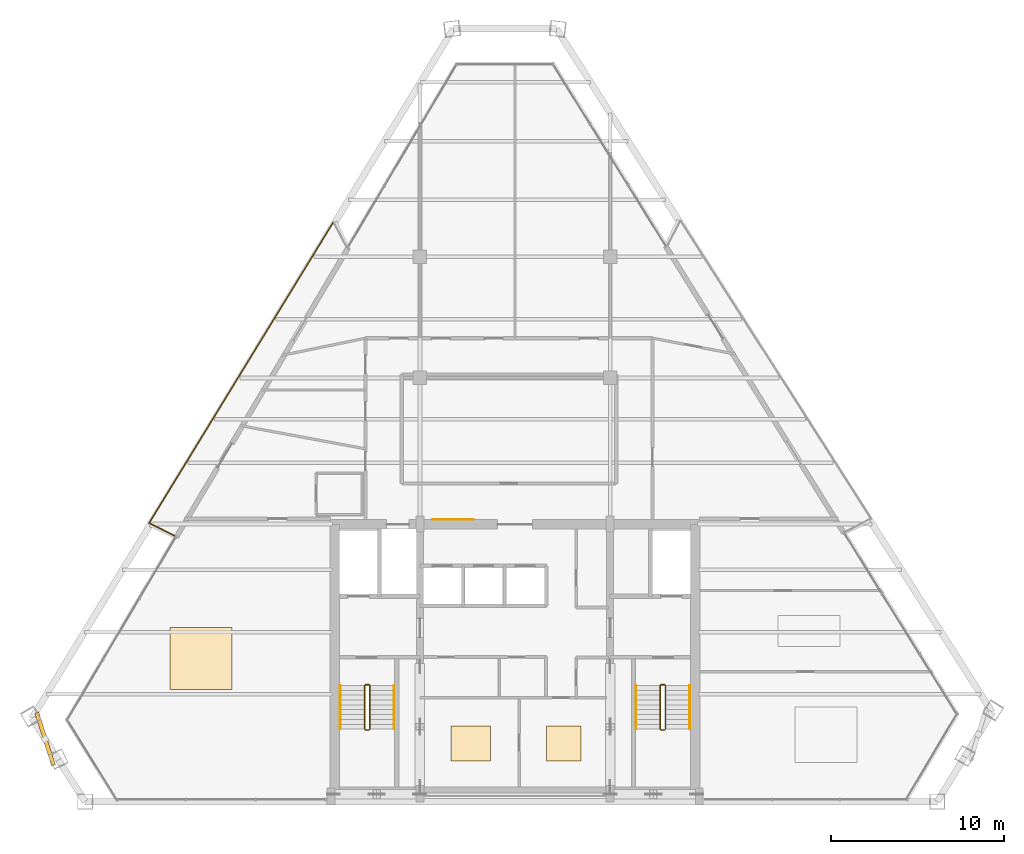
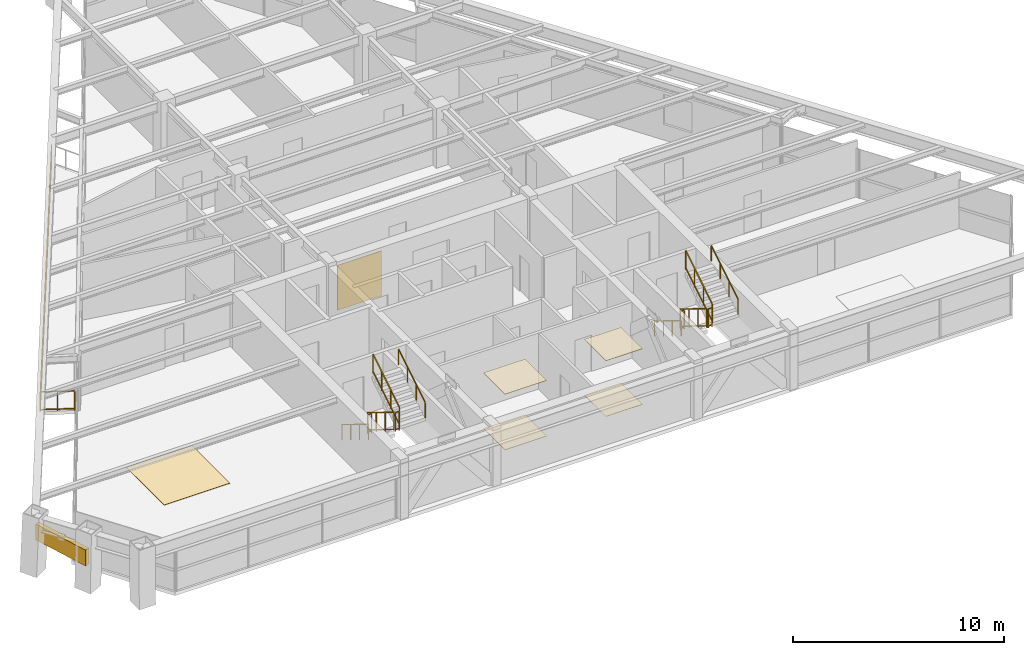
# One storey, part 11 of 12: 14 railings, 6 coverings, 1 shading device.
"""IFC4 building model written with IfcOpenShell, lengths in metres."""

import ifcopenshell
import ifcopenshell.guid

model = None  # the IFC model being written
_history = None  # IfcOwnerHistory: only IFC2X3 demands one
_inside = {}  # id of a spatial element -> (the spatial element, [elements in it])
_under = {}  # id of a project, library or spatial element -> (it, [spatial elements below it])
_declared = {}  # id of a project -> (the project, [libraries it declares])
_typed = {}  # id of a type object -> (the type object, [elements of that type])
_made_of = {}  # id of a material, layer set ... -> (it, [elements and type objects made of it])


def new_model(schema):
    """Start an empty IFC model of exactly this schema.

    Asked for "IFC4X3", IfcOpenShell would pick the latest addendum, in which some entities
    have other attributes; the version numbers below select the first issue.
    IFC2X3 requires an IfcOwnerHistory on every rooted entity: one is made here for all.
    """
    global model, _history
    if schema == "IFC4X3":
        model = ifcopenshell.file(schema_version=(4, 3, 0, 0))
    else:
        model = ifcopenshell.file(schema=schema)
    _inside.clear()
    _under.clear()
    _declared.clear()
    _typed.clear()
    _made_of.clear()
    _history = None
    if model.schema == "IFC2X3":
        org = make("IfcOrganization", Name="unknown")
        user = make(
            "IfcPersonAndOrganization",
            ThePerson=make("IfcPerson", FamilyName="unknown"),
            TheOrganization=org,
        )
        app = make(
            "IfcApplication",
            ApplicationDeveloper=org,
            Version="unknown",
            ApplicationFullName="unknown",
            ApplicationIdentifier="unknown",
        )
        _history = make(
            "IfcOwnerHistory",
            OwningUser=user,
            OwningApplication=app,
            ChangeAction="ADDED",
            CreationDate=0,
        )
    return model


def make(cls, **values):
    """One entity of the class cls with the attributes given. An attribute that is None is left unset."""
    return model.create_entity(
        cls, **{name: value for name, value in values.items() if value is not None}
    )


def rooted(cls, **values):
    """An entity with a GlobalId (a new one), such as an element, a storey or a relation."""
    return make(cls, GlobalId=ifcopenshell.guid.new(), OwnerHistory=_history, **values)


def si_unit(unit_type, name, prefix=None):
    """IfcSIUnit, for example si_unit("LENGTHUNIT", "METRE", prefix="MILLI")."""
    return make("IfcSIUnit", UnitType=unit_type, Prefix=prefix, Name=name)


def assignment(units):
    """IfcUnitAssignment: the units of a project."""
    return None if units is None else make("IfcUnitAssignment", Units=units)


def point(xyz):
    """IfcCartesianPoint."""
    return None if xyz is None else make("IfcCartesianPoint", Coordinates=xyz)


def direction(xyz):
    """IfcDirection."""
    return None if xyz is None else make("IfcDirection", DirectionRatios=xyz)


def frame(location, z_axis=None, x_axis=None):
    """IfcAxis2Placement3D, a coordinate frame: its origin and axes. An axis left out is left unset."""
    return make(
        "IfcAxis2Placement3D",
        Location=point(location),
        Axis=direction(z_axis),
        RefDirection=direction(x_axis),
    )


def frame_2d(location, x_axis=None):
    """IfcAxis2Placement2D, a coordinate frame in the plane: its origin and x axis."""
    return make(
        "IfcAxis2Placement2D", Location=point(location), RefDirection=direction(x_axis)
    )


def origin():
    """The frame at (0, 0, 0) with its axes left unset."""
    return frame((0.0, 0.0, 0.0))


def origin_2d():
    """The frame at (0, 0) in the plane with its x axis left unset."""
    return frame_2d((0.0, 0.0))


def place(relative_to, where):
    """IfcLocalPlacement: puts the frame where relative to a parent placement (None: the world)."""
    return make(
        "IfcLocalPlacement", PlacementRelTo=relative_to, RelativePlacement=where
    )


def context(
    kind, dimensions, precision=None, world=None, true_north=None, identifier=None
):
    """IfcGeometricRepresentationContext, for example the 3D "Model" context."""
    return make(
        "IfcGeometricRepresentationContext",
        ContextIdentifier=identifier,
        ContextType=kind,
        CoordinateSpaceDimension=dimensions,
        Precision=precision,
        WorldCoordinateSystem=world,
        TrueNorth=true_north,
    )


def subcontext(parent, identifier, kind, view, scale=None):
    """IfcGeometricRepresentationSubContext, for example "Body" below "Model"."""
    return make(
        "IfcGeometricRepresentationSubContext",
        ContextIdentifier=identifier,
        ContextType=kind,
        ParentContext=parent,
        TargetScale=scale,
        TargetView=view,
    )


def project(units=None, contexts=None):
    """IfcProject with its units and contexts."""
    return rooted(
        "IfcProject",
        Name="project",
        RepresentationContexts=contexts,
        UnitsInContext=assignment(units),
    )


def spatial(cls, under=None, at=None, **own):
    """A site, building, storey or space (cls), placed at a placement, below another one or the project."""
    s = rooted(cls, ObjectPlacement=at, **own)
    if under is not None:
        _under.setdefault(under.id(), (under, []))[1].append(s)
    return s


def profile(cls, at=None, kind="AREA", **sizes):
    """A parametric profile (cls). Its sizes go by their IFC names, for example OverallWidth=200.0."""
    return make(cls, ProfileType=kind, Position=at, **sizes)


def rectangle(**sizes):
    """IfcRectangleProfileDef."""
    return profile("IfcRectangleProfileDef", **sizes)


def extrude(swept, where, along, depth):
    """IfcExtrudedAreaSolid: the profile swept, set in the frame where, extruded along a direction by depth."""
    return make(
        "IfcExtrudedAreaSolid",
        SweptArea=swept,
        Position=where,
        ExtrudedDirection=direction(along),
        Depth=depth,
    )


def shape(context_of_items, identifier, shape_type, items):
    """IfcShapeRepresentation: the items that make up one representation, for example the "Body"."""
    return make(
        "IfcShapeRepresentation",
        ContextOfItems=context_of_items,
        RepresentationIdentifier=identifier,
        RepresentationType=shape_type,
        Items=items,
    )


def source(mapping_origin, context_of_items, identifier, shape_type, items):
    """IfcRepresentationMap: a shape defined once, which mapped items show again and again."""
    return make(
        "IfcRepresentationMap",
        MappingOrigin=mapping_origin,
        MappedRepresentation=shape(context_of_items, identifier, shape_type, items),
    )


def transform(
    local_origin,
    x_axis=None,
    y_axis=None,
    z_axis=None,
    scale=None,
    scale2=None,
    scale3=None,
    uniform=True,
):
    """IfcCartesianTransformationOperator3D, or its non-uniform kind. x_axis, y_axis, z_axis: its Axis1, 2, 3."""
    if uniform:
        return make(
            "IfcCartesianTransformationOperator3D",
            Axis1=direction(x_axis),
            Axis2=direction(y_axis),
            LocalOrigin=point(local_origin),
            Scale=scale,
            Axis3=direction(z_axis),
        )
    return make(
        "IfcCartesianTransformationOperator3DnonUniform",
        Axis1=direction(x_axis),
        Axis2=direction(y_axis),
        LocalOrigin=point(local_origin),
        Scale=scale,
        Axis3=direction(z_axis),
        Scale2=scale2,
        Scale3=scale3,
    )


def mapped(mapping_source, mapping_target):
    """IfcMappedItem: shows the shape of a source again, moved by a transform."""
    return make(
        "IfcMappedItem", MappingSource=mapping_source, MappingTarget=mapping_target
    )


def material(Name=None, Category=None):
    """IfcMaterial."""
    return make("IfcMaterial", Name=Name, Category=Category)


def layer(
    of_material, thickness, ventilated=None, Name=None, Category=None, Priority=None
):
    """IfcMaterialLayer: one layer of a wall or slab, of a material (None: an air gap)."""
    return make(
        "IfcMaterialLayer",
        Material=of_material,
        LayerThickness=thickness,
        IsVentilated=ventilated,
        Name=Name,
        Category=Category,
        Priority=Priority,
    )


def layer_set(layers, Name=None):
    """IfcMaterialLayerSet."""
    return make("IfcMaterialLayerSet", MaterialLayers=layers, LayerSetName=Name)


def made_of(thing, what):
    """Note that an element or type object is made of a material, layer set ...; save() writes the relation."""
    if what is not None:
        _made_of.setdefault(what.id(), (what, []))[1].append(thing)
    return thing


def type_object(cls, material=None, **own):
    """A type object (cls), such as IfcWallType, which elements share."""
    return made_of(rooted(cls, **own), material)


def type_shapes(of_type, sources):
    """Give a type object the sources (RepresentationMaps) that its elements show as mapped items."""
    of_type.RepresentationMaps = sources


def element(
    cls,
    number,
    at=None,
    inside=None,
    cuts=None,
    type_object=None,
    material=None,
    context=None,
    identifier="Body",
    shape_type=None,
    held_by="IfcProductDefinitionShape",
    body=None,
    shapes=None,
    **own,
):
    """One element of the class cls, such as IfcWall. Its Tag is "e" and its number.

    at: its placement. inside: the storey or other place that contains it. cuts: it is an
    opening in that element (IfcRelVoidsElement). A single representation is given by context,
    identifier, shape_type and body (its items); several are given by shapes. held_by: the class
    of the entity that holds the representations. save() writes the other relations.
    """
    e = rooted(cls, Tag="e%d" % number, ObjectPlacement=at, **own)
    if body is not None:
        shapes = [shape(context, identifier, shape_type, body)]
    if shapes is not None:
        e.Representation = make(held_by, Representations=shapes)
    if inside is not None:
        _inside.setdefault(inside.id(), (inside, []))[1].append(e)
    if cuts is not None:
        rooted(
            "IfcRelVoidsElement", RelatingBuildingElement=cuts, RelatedOpeningElement=e
        )
    if type_object is not None:
        _typed.setdefault(type_object.id(), (type_object, []))[1].append(e)
    return made_of(e, material)


def aggregate(whole, parts):
    """IfcRelAggregates: a whole, such as a stair, and the parts it consists of."""
    return rooted("IfcRelAggregates", RelatingObject=whole, RelatedObjects=parts)


def save(model, path):
    """Write the relations noted so far, then the file.

    IfcRelAggregates (storeys below a building ...), IfcRelContainedInSpatialStructure (elements
    in a storey), IfcRelDefinesByType, IfcRelAssociatesMaterial and IfcRelDeclares: one each for
    every whole, place, type object, material and project.
    """
    for whole, parts in _under.values():
        aggregate(whole, parts)
    for where, things in _inside.values():
        rooted(
            "IfcRelContainedInSpatialStructure",
            RelatedElements=things,
            RelatingStructure=where,
        )
    for kind, things in _typed.values():
        rooted("IfcRelDefinesByType", RelatedObjects=things, RelatingType=kind)
    for what, things in _made_of.values():
        rooted("IfcRelAssociatesMaterial", RelatedObjects=things, RelatingMaterial=what)
    for by, libraries in _declared.values():
        rooted("IfcRelDeclares", RelatingContext=by, RelatedDefinitions=libraries)
    model.write(path)


model = new_model("IFC4")

# Units and contexts
model_context = context("Model", 3, precision=1e-05, world=origin(), true_north=direction((0.0, 1.0)))
body_context = subcontext(model_context, "Body", "Model", "MODEL_VIEW")
ifc_project = project(units=[si_unit("LENGTHUNIT", "METRE"), si_unit("AREAUNIT", "SQUARE_METRE"), si_unit("VOLUMEUNIT", "CUBIC_METRE"), si_unit("PLANEANGLEUNIT", "RADIAN"), si_unit("MASSUNIT", "GRAM", prefix="KILO")], contexts=[model_context])

# Site, building, storey
site_placement = place(None, origin())
site = spatial("IfcSite", under=ifc_project, at=site_placement, CompositionType="ELEMENT")
building_placement = place(site_placement, origin())
building = spatial("IfcBuilding", under=site, at=building_placement, Name="Varnakhor Terracotta Tower", CompositionType="ELEMENT")
storey_placement = place(building_placement, frame((0.0, 0.0, 230.35009765625)))
storey = spatial("IfcBuildingStorey", under=building, at=storey_placement, Name="L59", CompositionType="ELEMENT", Elevation=230.35009765625)

# Railings
ifc_material_1 = material(Name="Stainless Steel & Laminated Glass Guardrail", Category="steel")
railing_type_1 = type_object("IfcRailingType", Name="RLG-LOGGIA-GUARD-1150", PredefinedType="GUARDRAIL", material=ifc_material_1)
railing_1_placement = place(storey_placement, frame((-19.70654296875, 15.371826171875, 0.0)))
element("IfcRailing", 1, at=railing_1_placement, inside=storey, type_object=railing_type_1, Name="L59 W Loggia Glass Guard 1", PredefinedType="GUARDRAIL", context=body_context, shape_type="SweptSolid", body=[
    extrude(rectangle(XDim=0.048095703125, YDim=0.048095703125, at=origin_2d()), frame((0.0, 0.0, 1.1259765625), z_axis=(-0.889711540351, 0.456523137383, 0.0), x_axis=(-0.456523137383, -0.889711540351, 0.0)), (0.0, 0.0, 1.0), 1.632080078125),
    extrude(rectangle(XDim=0.048095703125, YDim=0.048095703125, at=origin_2d()), frame((0.0, 0.0, 0.10009765625), z_axis=(-0.889711540351, 0.456523137383, 0.0), x_axis=(-0.456523137383, -0.889711540351, 0.0)), (0.0, 0.0, 1.0), 1.632080078125),
    extrude(rectangle(XDim=0.0419921875, YDim=0.0419921875, at=origin_2d()), origin(), (0.0, 0.0, 1.0), 1.101806640625),
    extrude(rectangle(XDim=0.0419921875, YDim=0.0419921875, at=origin_2d()), frame((-0.72607421875, 0.37255859375, 0.0)), (0.0, 0.0, 1.0), 1.101806640625),
    extrude(rectangle(XDim=0.0419921875, YDim=0.0419921875, at=origin_2d()), frame((-1.4521484375, 0.7451171875, 0.0)), (0.0, 0.0, 1.0), 1.101806640625),
])
railing_2_placement = place(storey_placement, frame((-21.15869140625, 16.116943359375, 0.0)))
element("IfcRailing", 2, at=railing_2_placement, inside=storey, type_object=railing_type_1, Name="L59 W Loggia Glass Guard 2", PredefinedType="GUARDRAIL", context=body_context, shape_type="SweptSolid", body=[
    extrude(rectangle(XDim=0.048095703125, YDim=0.048095703125, at=origin_2d()), frame((0.0, 0.0, 1.1259765625), z_axis=(0.522481492046, 0.852650626265, 0.0), x_axis=(-0.852650626265, 0.522481492046, 0.0)), (0.0, 0.0, 1.0), 20.39453125),
    extrude(rectangle(XDim=0.048095703125, YDim=0.048095703125, at=origin_2d()), frame((0.0, 0.0, 0.10009765625), z_axis=(0.522481492046, 0.852650626265, 0.0), x_axis=(-0.852650626265, 0.522481492046, 0.0)), (0.0, 0.0, 1.0), 20.39453125),
    extrude(rectangle(XDim=0.0419921875, YDim=0.0419921875, at=origin_2d()), origin(), (0.0, 0.0, 1.0), 1.101806640625),
    extrude(rectangle(XDim=0.0419921875, YDim=0.0419921875, at=origin_2d()), frame((0.71044921875, 1.1591796875, 0.0)), (0.0, 0.0, 1.0), 1.101806640625),
    extrude(rectangle(XDim=0.0419921875, YDim=0.0419921875, at=origin_2d()), frame((1.420654296875, 2.318603515625, 0.0)), (0.0, 0.0, 1.0), 1.101806640625),
    extrude(rectangle(XDim=0.0419921875, YDim=0.0419921875, at=origin_2d()), frame((2.131103515625, 3.477783203125, 0.0)), (0.0, 0.0, 1.0), 1.101806640625),
    extrude(rectangle(XDim=0.0419921875, YDim=0.0419921875, at=origin_2d()), frame((2.841552734375, 4.63720703125, 0.0)), (0.0, 0.0, 1.0), 1.101806640625),
    extrude(rectangle(XDim=0.0419921875, YDim=0.0419921875, at=origin_2d()), frame((3.552001953125, 5.79638671875, 0.0)), (0.0, 0.0, 1.0), 1.101806640625),
    extrude(rectangle(XDim=0.0419921875, YDim=0.0419921875, at=origin_2d()), frame((4.26220703125, 6.955810546875, 0.0)), (0.0, 0.0, 1.0), 1.101806640625),
    extrude(rectangle(XDim=0.0419921875, YDim=0.0419921875, at=origin_2d()), frame((4.97265625, 8.114990234375, 0.0)), (0.0, 0.0, 1.0), 1.101806640625),
    extrude(rectangle(XDim=0.0419921875, YDim=0.0419921875, at=origin_2d()), frame((5.68310546875, 9.2744140625, 0.0)), (0.0, 0.0, 1.0), 1.101806640625),
    extrude(rectangle(XDim=0.0419921875, YDim=0.0419921875, at=origin_2d()), frame((6.3935546875, 10.43359375, 0.0)), (0.0, 0.0, 1.0), 1.101806640625),
    extrude(rectangle(XDim=0.0419921875, YDim=0.0419921875, at=origin_2d()), frame((7.103759765625, 11.593017578125, 0.0)), (0.0, 0.0, 1.0), 1.101806640625),
    extrude(rectangle(XDim=0.0419921875, YDim=0.0419921875, at=origin_2d()), frame((7.814208984375, 12.752197265625, 0.0)), (0.0, 0.0, 1.0), 1.101806640625),
    extrude(rectangle(XDim=0.0419921875, YDim=0.0419921875, at=origin_2d()), frame((8.524658203125, 13.91162109375, 0.0)), (0.0, 0.0, 1.0), 1.101806640625),
    extrude(rectangle(XDim=0.0419921875, YDim=0.0419921875, at=origin_2d()), frame((9.235107421875, 15.07080078125, 0.0)), (0.0, 0.0, 1.0), 1.101806640625),
    extrude(rectangle(XDim=0.0419921875, YDim=0.0419921875, at=origin_2d()), frame((9.9453125, 16.230224609375, 0.0)), (0.0, 0.0, 1.0), 1.101806640625),
    extrude(rectangle(XDim=0.0419921875, YDim=0.0419921875, at=origin_2d()), frame((10.65576171875, 17.389404296875, 0.0)), (0.0, 0.0, 1.0), 1.101806640625),
])
ifc_material_2 = material(Name="Painted Steel Stairwell Guardrail", Category="steel")
railing_type_2 = type_object("IfcRailingType", Name="RLG-STAIR-GUARD-1120", PredefinedType="GUARDRAIL", material=ifc_material_2)
railing_3_placement = place(storey_placement, frame((-8.699951171875, 6.7099609375, 0.17236328125)))
element("IfcRailing", 3, at=railing_3_placement, inside=storey, type_object=railing_type_2, Name="L59 ST-1 stair guard 1", PredefinedType="GUARDRAIL", context=body_context, shape_type="SweptSolid", body=[
    extrude(rectangle(XDim=0.048095703125, YDim=0.048095703125, at=origin_2d()), frame((0.0, 0.0, 1.09619140625), z_axis=(0.0, -0.851400495292, 0.524516154772), x_axis=(1.0, 0.0, 0.0)), (0.0, 0.0, 1.0), 2.9599609375),
    extrude(rectangle(XDim=0.048095703125, YDim=0.048095703125, at=origin_2d()), frame((0.0, 0.0, 0.10009765625), z_axis=(0.0, -0.851400495292, 0.524516154772), x_axis=(1.0, 0.0, 0.0)), (0.0, 0.0, 1.0), 2.9599609375),
    extrude(rectangle(XDim=0.0419921875, YDim=0.0419921875, at=origin_2d()), origin(), (0.0, 0.0, 1.0), 1.072021484375),
    extrude(rectangle(XDim=0.0419921875, YDim=0.0419921875, at=origin_2d()), frame((0.0, -0.840087890625, 0.517578125)), (0.0, 0.0, 1.0), 1.072021484375),
    extrude(rectangle(XDim=0.0419921875, YDim=0.0419921875, at=origin_2d()), frame((0.0, -1.679931640625, 1.034912109375)), (0.0, 0.0, 1.0), 1.072021484375),
    extrude(rectangle(XDim=0.0419921875, YDim=0.0419921875, at=origin_2d()), frame((0.0, -2.52001953125, 1.552490234375)), (0.0, 0.0, 1.0), 1.072021484375),
])
railing_4_placement = place(storey_placement, frame((-8.64990234375, 4.139892578125, 1.724853515625)))
element("IfcRailing", 4, at=railing_4_placement, inside=storey, type_object=railing_type_2, Name="L59 ST-1 stair guard 2", PredefinedType="GUARDRAIL", context=body_context, shape_type="SweptSolid", body=[
    extrude(rectangle(XDim=0.048095703125, YDim=0.048095703125, at=origin_2d()), frame((0.0, 0.0, 1.09619140625), z_axis=(1.0, 0.0, 0.0), x_axis=(0.0, 1.0, 0.0)), (0.0, 0.0, 1.0), 0.199951171875),
    extrude(rectangle(XDim=0.048095703125, YDim=0.048095703125, at=origin_2d()), frame((0.0, 0.0, 0.10009765625), z_axis=(1.0, 0.0, 0.0), x_axis=(0.0, 1.0, 0.0)), (0.0, 0.0, 1.0), 0.199951171875),
    extrude(rectangle(XDim=0.0419921875, YDim=0.0419921875, at=origin_2d()), origin(), (0.0, 0.0, 1.0), 1.072021484375),
    extrude(rectangle(XDim=0.0419921875, YDim=0.0419921875, at=origin_2d()), frame((0.199951171875, 0.0, 0.0)), (0.0, 0.0, 1.0), 1.072021484375),
])
railing_5_placement = place(storey_placement, frame((-8.39990234375, 4.18994140625, 1.8974609375)))
element("IfcRailing", 5, at=railing_5_placement, inside=storey, type_object=railing_type_2, Name="L59 ST-1 stair guard 3", PredefinedType="GUARDRAIL", context=body_context, shape_type="SweptSolid", body=[
    extrude(rectangle(XDim=0.048095703125, YDim=0.048095703125, at=origin_2d()), frame((0.0, 0.0, 1.09619140625), z_axis=(0.0, 0.851400495292, 0.524516154772), x_axis=(-1.0, 0.0, 0.0)), (0.0, 0.0, 1.0), 2.9599609375),
    extrude(rectangle(XDim=0.048095703125, YDim=0.048095703125, at=origin_2d()), frame((0.0, 0.0, 0.10009765625), z_axis=(0.0, 0.851400495292, 0.524516154772), x_axis=(-1.0, 0.0, 0.0)), (0.0, 0.0, 1.0), 2.9599609375),
    extrude(rectangle(XDim=0.0419921875, YDim=0.0419921875, at=origin_2d()), origin(), (0.0, 0.0, 1.0), 1.072021484375),
    extrude(rectangle(XDim=0.0419921875, YDim=0.0419921875, at=origin_2d()), frame((0.0, 0.840087890625, 0.517578125)), (0.0, 0.0, 1.0), 1.072021484375),
    extrude(rectangle(XDim=0.0419921875, YDim=0.0419921875, at=origin_2d()), frame((0.0, 1.679931640625, 1.034912109375)), (0.0, 0.0, 1.0), 1.072021484375),
    extrude(rectangle(XDim=0.0419921875, YDim=0.0419921875, at=origin_2d()), frame((0.0, 2.52001953125, 1.552490234375)), (0.0, 0.0, 1.0), 1.072021484375),
])
railing_6_placement = place(storey_placement, frame((-8.64990234375, 6.760009765625, 0.0)))
element("IfcRailing", 6, at=railing_6_placement, inside=storey, type_object=railing_type_2, Name="L59 ST-1 stair guard 4", PredefinedType="GUARDRAIL", context=body_context, shape_type="SweptSolid", body=[
    extrude(rectangle(XDim=0.048095703125, YDim=0.048095703125, at=origin_2d()), frame((0.0, 0.0, 1.09619140625), z_axis=(1.0, 0.0, 0.0), x_axis=(0.0, 1.0, 0.0)), (0.0, 0.0, 1.0), 0.199951171875),
    extrude(rectangle(XDim=0.048095703125, YDim=0.048095703125, at=origin_2d()), frame((0.0, 0.0, 0.10009765625), z_axis=(1.0, 0.0, 0.0), x_axis=(0.0, 1.0, 0.0)), (0.0, 0.0, 1.0), 0.199951171875),
    extrude(rectangle(XDim=0.0419921875, YDim=0.0419921875, at=origin_2d()), origin(), (0.0, 0.0, 1.0), 1.072021484375),
    extrude(rectangle(XDim=0.0419921875, YDim=0.0419921875, at=origin_2d()), frame((0.199951171875, 0.0, 0.0)), (0.0, 0.0, 1.0), 1.072021484375),
])
railing_7_placement = place(storey_placement, frame((8.39990234375, 6.7099609375, 0.17236328125)))
element("IfcRailing", 7, at=railing_7_placement, inside=storey, type_object=railing_type_2, Name="L59 ST-2 stair guard 1", PredefinedType="GUARDRAIL", context=body_context, shape_type="SweptSolid", body=[
    extrude(rectangle(XDim=0.048095703125, YDim=0.048095703125, at=origin_2d()), frame((0.0, 0.0, 1.09619140625), z_axis=(0.0, -0.851400495292, 0.524516154772), x_axis=(1.0, 0.0, 0.0)), (0.0, 0.0, 1.0), 2.9599609375),
    extrude(rectangle(XDim=0.048095703125, YDim=0.048095703125, at=origin_2d()), frame((0.0, 0.0, 0.10009765625), z_axis=(0.0, -0.851400495292, 0.524516154772), x_axis=(1.0, 0.0, 0.0)), (0.0, 0.0, 1.0), 2.9599609375),
    extrude(rectangle(XDim=0.0419921875, YDim=0.0419921875, at=origin_2d()), origin(), (0.0, 0.0, 1.0), 1.072021484375),
    extrude(rectangle(XDim=0.0419921875, YDim=0.0419921875, at=origin_2d()), frame((0.0, -0.840087890625, 0.517578125)), (0.0, 0.0, 1.0), 1.072021484375),
    extrude(rectangle(XDim=0.0419921875, YDim=0.0419921875, at=origin_2d()), frame((0.0, -1.679931640625, 1.034912109375)), (0.0, 0.0, 1.0), 1.072021484375),
    extrude(rectangle(XDim=0.0419921875, YDim=0.0419921875, at=origin_2d()), frame((0.0, -2.52001953125, 1.552490234375)), (0.0, 0.0, 1.0), 1.072021484375),
])
railing_8_placement = place(storey_placement, frame((8.449951171875, 4.139892578125, 1.724853515625)))
element("IfcRailing", 8, at=railing_8_placement, inside=storey, type_object=railing_type_2, Name="L59 ST-2 stair guard 2", PredefinedType="GUARDRAIL", context=body_context, shape_type="SweptSolid", body=[
    extrude(rectangle(XDim=0.048095703125, YDim=0.048095703125, at=origin_2d()), frame((0.0, 0.0, 1.09619140625), z_axis=(1.0, 0.0, 0.0), x_axis=(0.0, 1.0, 0.0)), (0.0, 0.0, 1.0), 0.199951171875),
    extrude(rectangle(XDim=0.048095703125, YDim=0.048095703125, at=origin_2d()), frame((0.0, 0.0, 0.10009765625), z_axis=(1.0, 0.0, 0.0), x_axis=(0.0, 1.0, 0.0)), (0.0, 0.0, 1.0), 0.199951171875),
    extrude(rectangle(XDim=0.0419921875, YDim=0.0419921875, at=origin_2d()), origin(), (0.0, 0.0, 1.0), 1.072021484375),
    extrude(rectangle(XDim=0.0419921875, YDim=0.0419921875, at=origin_2d()), frame((0.199951171875, 0.0, 0.0)), (0.0, 0.0, 1.0), 1.072021484375),
])
railing_9_placement = place(storey_placement, frame((8.699951171875, 4.18994140625, 1.8974609375)))
element("IfcRailing", 9, at=railing_9_placement, inside=storey, type_object=railing_type_2, Name="L59 ST-2 stair guard 3", PredefinedType="GUARDRAIL", context=body_context, shape_type="SweptSolid", body=[
    extrude(rectangle(XDim=0.048095703125, YDim=0.048095703125, at=origin_2d()), frame((0.0, 0.0, 1.09619140625), z_axis=(0.0, 0.851400495292, 0.524516154772), x_axis=(-1.0, 0.0, 0.0)), (0.0, 0.0, 1.0), 2.9599609375),
    extrude(rectangle(XDim=0.048095703125, YDim=0.048095703125, at=origin_2d()), frame((0.0, 0.0, 0.10009765625), z_axis=(0.0, 0.851400495292, 0.524516154772), x_axis=(-1.0, 0.0, 0.0)), (0.0, 0.0, 1.0), 2.9599609375),
    extrude(rectangle(XDim=0.0419921875, YDim=0.0419921875, at=origin_2d()), origin(), (0.0, 0.0, 1.0), 1.072021484375),
    extrude(rectangle(XDim=0.0419921875, YDim=0.0419921875, at=origin_2d()), frame((0.0, 0.840087890625, 0.517578125)), (0.0, 0.0, 1.0), 1.072021484375),
    extrude(rectangle(XDim=0.0419921875, YDim=0.0419921875, at=origin_2d()), frame((0.0, 1.679931640625, 1.034912109375)), (0.0, 0.0, 1.0), 1.072021484375),
    extrude(rectangle(XDim=0.0419921875, YDim=0.0419921875, at=origin_2d()), frame((0.0, 2.52001953125, 1.552490234375)), (0.0, 0.0, 1.0), 1.072021484375),
])
railing_10_placement = place(storey_placement, frame((8.449951171875, 6.760009765625, 0.0)))
element("IfcRailing", 10, at=railing_10_placement, inside=storey, type_object=railing_type_2, Name="L59 ST-2 stair guard 4", PredefinedType="GUARDRAIL", context=body_context, shape_type="SweptSolid", body=[
    extrude(rectangle(XDim=0.048095703125, YDim=0.048095703125, at=origin_2d()), frame((0.0, 0.0, 1.09619140625), z_axis=(1.0, 0.0, 0.0), x_axis=(0.0, 1.0, 0.0)), (0.0, 0.0, 1.0), 0.199951171875),
    extrude(rectangle(XDim=0.048095703125, YDim=0.048095703125, at=origin_2d()), frame((0.0, 0.0, 0.10009765625), z_axis=(1.0, 0.0, 0.0), x_axis=(0.0, 1.0, 0.0)), (0.0, 0.0, 1.0), 0.199951171875),
    extrude(rectangle(XDim=0.0419921875, YDim=0.0419921875, at=origin_2d()), origin(), (0.0, 0.0, 1.0), 1.072021484375),
    extrude(rectangle(XDim=0.0419921875, YDim=0.0419921875, at=origin_2d()), frame((0.199951171875, 0.0, 0.0)), (0.0, 0.0, 1.0), 1.072021484375),
])
ifc_material_3 = material(Name="Brushed Stainless Steel Handrail", Category="steel")
railing_type_3 = type_object("IfcRailingType", Name="RLG-STAIR-HANDRAIL-920", PredefinedType="HANDRAIL", material=ifc_material_3)
railing_11_placement = place(storey_placement, frame((-10.10009765625, 6.7099609375, 0.17236328125)))
element("IfcRailing", 11, at=railing_11_placement, inside=storey, type_object=railing_type_3, Name="L59 ST-1 stair handrail 1", PredefinedType="HANDRAIL", context=body_context, shape_type="SweptSolid", body=[
    extrude(rectangle(XDim=0.048095703125, YDim=0.048095703125, at=origin_2d()), frame((0.0, 0.0, 0.89599609375), z_axis=(0.0, -0.851400495292, 0.524516154772), x_axis=(1.0, 0.0, 0.0)), (0.0, 0.0, 1.0), 2.9599609375),
    extrude(rectangle(XDim=0.0419921875, YDim=0.0419921875, at=origin_2d()), origin(), (0.0, 0.0, 1.0), 0.871826171875),
    extrude(rectangle(XDim=0.0419921875, YDim=0.0419921875, at=origin_2d()), frame((0.0, -0.840087890625, 0.517578125)), (0.0, 0.0, 1.0), 0.871826171875),
    extrude(rectangle(XDim=0.0419921875, YDim=0.0419921875, at=origin_2d()), frame((0.0, -1.679931640625, 1.034912109375)), (0.0, 0.0, 1.0), 0.871826171875),
    extrude(rectangle(XDim=0.0419921875, YDim=0.0419921875, at=origin_2d()), frame((0.0, -2.52001953125, 1.552490234375)), (0.0, 0.0, 1.0), 0.871826171875),
])
railing_12_placement = place(storey_placement, frame((-7.0, 4.18994140625, 1.8974609375)))
element("IfcRailing", 12, at=railing_12_placement, inside=storey, type_object=railing_type_3, Name="L59 ST-1 stair handrail 2", PredefinedType="HANDRAIL", context=body_context, shape_type="SweptSolid", body=[
    extrude(rectangle(XDim=0.048095703125, YDim=0.048095703125, at=origin_2d()), frame((0.0, 0.0, 0.89599609375), z_axis=(0.0, 0.851400495292, 0.524516154772), x_axis=(-1.0, 0.0, 0.0)), (0.0, 0.0, 1.0), 2.9599609375),
    extrude(rectangle(XDim=0.0419921875, YDim=0.0419921875, at=origin_2d()), origin(), (0.0, 0.0, 1.0), 0.871826171875),
    extrude(rectangle(XDim=0.0419921875, YDim=0.0419921875, at=origin_2d()), frame((0.0, 0.840087890625, 0.517578125)), (0.0, 0.0, 1.0), 0.871826171875),
    extrude(rectangle(XDim=0.0419921875, YDim=0.0419921875, at=origin_2d()), frame((0.0, 1.679931640625, 1.034912109375)), (0.0, 0.0, 1.0), 0.871826171875),
    extrude(rectangle(XDim=0.0419921875, YDim=0.0419921875, at=origin_2d()), frame((0.0, 2.52001953125, 1.552490234375)), (0.0, 0.0, 1.0), 0.871826171875),
])
railing_13_placement = place(storey_placement, frame((7.0, 6.7099609375, 0.17236328125)))
element("IfcRailing", 13, at=railing_13_placement, inside=storey, type_object=railing_type_3, Name="L59 ST-2 stair handrail 1", PredefinedType="HANDRAIL", context=body_context, shape_type="SweptSolid", body=[
    extrude(rectangle(XDim=0.048095703125, YDim=0.048095703125, at=origin_2d()), frame((0.0, 0.0, 0.89599609375), z_axis=(0.0, -0.851400495292, 0.524516154772), x_axis=(1.0, 0.0, 0.0)), (0.0, 0.0, 1.0), 2.9599609375),
    extrude(rectangle(XDim=0.0419921875, YDim=0.0419921875, at=origin_2d()), origin(), (0.0, 0.0, 1.0), 0.871826171875),
    extrude(rectangle(XDim=0.0419921875, YDim=0.0419921875, at=origin_2d()), frame((0.0, -0.840087890625, 0.517578125)), (0.0, 0.0, 1.0), 0.871826171875),
    extrude(rectangle(XDim=0.0419921875, YDim=0.0419921875, at=origin_2d()), frame((0.0, -1.679931640625, 1.034912109375)), (0.0, 0.0, 1.0), 0.871826171875),
    extrude(rectangle(XDim=0.0419921875, YDim=0.0419921875, at=origin_2d()), frame((0.0, -2.52001953125, 1.552490234375)), (0.0, 0.0, 1.0), 0.871826171875),
])
railing_14_placement = place(storey_placement, frame((10.10009765625, 4.18994140625, 1.8974609375)))
element("IfcRailing", 14, at=railing_14_placement, inside=storey, type_object=railing_type_3, Name="L59 ST-2 stair handrail 2", PredefinedType="HANDRAIL", context=body_context, shape_type="SweptSolid", body=[
    extrude(rectangle(XDim=0.048095703125, YDim=0.048095703125, at=origin_2d()), frame((0.0, 0.0, 0.89599609375), z_axis=(0.0, 0.851400495292, 0.524516154772), x_axis=(-1.0, 0.0, 0.0)), (0.0, 0.0, 1.0), 2.9599609375),
    extrude(rectangle(XDim=0.0419921875, YDim=0.0419921875, at=origin_2d()), origin(), (0.0, 0.0, 1.0), 0.871826171875),
    extrude(rectangle(XDim=0.0419921875, YDim=0.0419921875, at=origin_2d()), frame((0.0, 0.840087890625, 0.517578125)), (0.0, 0.0, 1.0), 0.871826171875),
    extrude(rectangle(XDim=0.0419921875, YDim=0.0419921875, at=origin_2d()), frame((0.0, 1.679931640625, 1.034912109375)), (0.0, 0.0, 1.0), 0.871826171875),
    extrude(rectangle(XDim=0.0419921875, YDim=0.0419921875, at=origin_2d()), frame((0.0, 2.52001953125, 1.552490234375)), (0.0, 0.0, 1.0), 0.871826171875),
])

# Shading device
ifc_material_4 = material(Name="Extruded Architectural Terracotta Screen", Category="masonry")
shading_device_type = type_object("IfcShadingDeviceType", Name="TERRACOTTA SOLAR SCREEN W", PredefinedType="USERDEFINED", material=ifc_material_4)
shared_shape_1 = source(origin(), body_context, "Body", "SweptSolid", [
    extrude(rectangle(XDim=3.199951171875, YDim=0.239990234375, at=origin_2d()), origin(), (0.0, 0.0, 1.0), 0.919921875),
])
type_shapes(shading_device_type, [shared_shape_1])
shading_device_placement = place(storey_placement, frame((-27.176513671875, 3.613037109375, 1.56201171875), z_axis=(0.0, 0.0, 1.0), x_axis=(0.30098875978, -0.953627687563, 0.0)))
element("IfcShadingDevice", 15, at=shading_device_placement, inside=storey, type_object=shading_device_type, Name="L59 W Terracotta Solar Screen", ObjectType="SCREEN", PredefinedType="USERDEFINED", context=body_context, shape_type="MappedRepresentation", body=[
    mapped(shared_shape_1, transform((0.0, 0.0, 0.0), scale=1.0)),
])

# Coverings
ifc_material_5 = material(Name="Extruded Architectural Terracotta Cladding", Category="masonry")
ifc_layer_1 = layer(ifc_material_5, 0.044921875, Name="Extruded Architectural Terracotta Cladding")
ifc_layer_set_1 = layer_set([ifc_layer_1], Name="Extruded Architectural Terracotta Cladding")
covering_type_1 = type_object("IfcCoveringType", Name="COV-CLAD-TERRACOTTA", PredefinedType="CLADDING", material=ifc_layer_set_1)
shared_shape_2 = source(origin(), body_context, "Body", "SweptSolid", [
    extrude(rectangle(XDim=2.39990234375, YDim=0.030029296875, at=origin_2d()), origin(), (0.0, 0.0, 1.0), 2.60009765625),
])
type_shapes(covering_type_1, [shared_shape_2])
covering_1_placement = place(storey_placement, frame((-3.60009765625, 16.31201171875, -0.000244140625), z_axis=(0.0, 0.0, 1.0), x_axis=(1.0, 0.0, 0.0)))
element("IfcCovering", 16, at=covering_1_placement, inside=storey, type_object=covering_type_1, Name="L59 Core Lobby Limestone Cladding", PredefinedType="CLADDING", context=body_context, shape_type="MappedRepresentation", body=[
    mapped(shared_shape_2, transform((0.0, 0.0, 0.0), scale=1.0)),
])
ifc_material_6 = material(Name="Honed Riyadh Limestone Flooring", Category="masonry")
ifc_layer_2 = layer(ifc_material_6, 0.030029296875, Name="Honed Riyadh Limestone Flooring")
ifc_layer_set_2 = layer_set([ifc_layer_2], Name="Honed Riyadh Limestone Flooring")
covering_type_2 = type_object("IfcCoveringType", Name="COV-FLOOR-LIMESTONE", PredefinedType="FLOORING", material=ifc_layer_set_2)
shared_shape_3 = source(origin(), body_context, "Body", "SweptSolid", [
    extrude(rectangle(XDim=3.60009765625, YDim=3.60009765625, at=origin_2d()), origin(), (0.0, 0.0, 1.0), 0.02001953125),
])
covering_2_placement = place(storey_placement, frame((-18.157958984375, 8.26611328125, 0.0), z_axis=(0.0, 0.0, 1.0), x_axis=(1.0, 0.0, 0.0)))
element("IfcCovering", 17, at=covering_2_placement, inside=storey, type_object=covering_type_2, Name="L59 Honed Stone Flooring 4", PredefinedType="FLOORING", context=body_context, shape_type="MappedRepresentation", body=[
    mapped(shared_shape_3, transform((0.0, 0.0, 0.0), scale=1.0)),
])
shared_shape_4 = source(origin(), body_context, "Body", "SweptSolid", [
    extrude(rectangle(XDim=2.281982421875, YDim=2.041015625, at=origin_2d()), origin(), (0.0, 0.0, 1.0), 0.02001953125),
])
covering_3_placement = place(storey_placement, frame((-2.56494140625, 3.35498046875, 0.0), z_axis=(0.0, 0.0, 1.0), x_axis=(1.0, 0.0, 0.0)))
element("IfcCovering", 18, at=covering_3_placement, inside=storey, type_object=covering_type_2, Name="L59 Honed Stone Flooring 1", PredefinedType="FLOORING", context=body_context, shape_type="MappedRepresentation", body=[
    mapped(shared_shape_4, transform((0.0, 0.0, 0.0), scale=1.0)),
])
ifc_material_7 = material(Name="Perforated Acoustic Mineral-Fibre Ceiling", Category="gypsum")
ifc_layer_3 = layer(ifc_material_7, 0.02490234375, Name="Perforated Acoustic Mineral-Fibre Ceiling")
ifc_layer_set_3 = layer_set([ifc_layer_3], Name="Perforated Acoustic Mineral-Fibre Ceiling")
covering_type_3 = type_object("IfcCoveringType", Name="COV-CEILING-ACOUSTIC", PredefinedType="CEILING", material=ifc_layer_set_3)
shared_shape_5 = source(origin(), body_context, "Body", "SweptSolid", [
    extrude(rectangle(XDim=2.281982421875, YDim=2.041015625, at=origin_2d()), origin(), (0.0, 0.0, 1.0), 0.02392578125),
])
covering_4_placement = place(storey_placement, frame((-2.56494140625, 3.35498046875, 3.2158203125), z_axis=(0.0, 0.0, 1.0), x_axis=(1.0, 0.0, 0.0)))
element("IfcCovering", 19, at=covering_4_placement, inside=storey, type_object=covering_type_3, Name="L59 Acoustic Ceiling Panel 1", PredefinedType="CEILING", context=body_context, shape_type="MappedRepresentation", body=[
    mapped(shared_shape_5, transform((0.0, 0.0, 0.0), scale=1.0)),
])
shared_shape_6 = source(origin(), body_context, "Body", "SweptSolid", [
    extrude(rectangle(XDim=2.007080078125, YDim=2.041015625, at=origin_2d()), origin(), (0.0, 0.0, 1.0), 0.02001953125),
])
covering_5_placement = place(storey_placement, frame((2.81494140625, 3.35498046875, 0.0), z_axis=(0.0, 0.0, 1.0), x_axis=(1.0, 0.0, 0.0)))
element("IfcCovering", 20, at=covering_5_placement, inside=storey, type_object=covering_type_2, Name="L59 Honed Stone Flooring 2", PredefinedType="FLOORING", context=body_context, shape_type="MappedRepresentation", body=[
    mapped(shared_shape_6, transform((0.0, 0.0, 0.0), scale=1.0)),
])
shared_shape_7 = source(origin(), body_context, "Body", "SweptSolid", [
    extrude(rectangle(XDim=2.007080078125, YDim=2.041015625, at=origin_2d()), origin(), (0.0, 0.0, 1.0), 0.02392578125),
])
covering_6_placement = place(storey_placement, frame((2.81494140625, 3.35498046875, 3.2158203125), z_axis=(0.0, 0.0, 1.0), x_axis=(1.0, 0.0, 0.0)))
element("IfcCovering", 21, at=covering_6_placement, inside=storey, type_object=covering_type_3, Name="L59 Acoustic Ceiling Panel 2", PredefinedType="CEILING", context=body_context, shape_type="MappedRepresentation", body=[
    mapped(shared_shape_7, transform((0.0, 0.0, 0.0), scale=1.0)),
])

save(model, "model.ifc")
